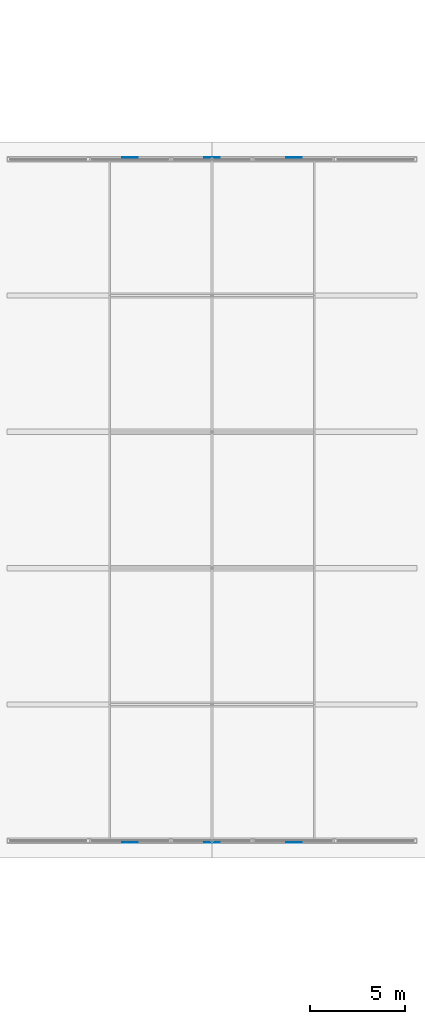
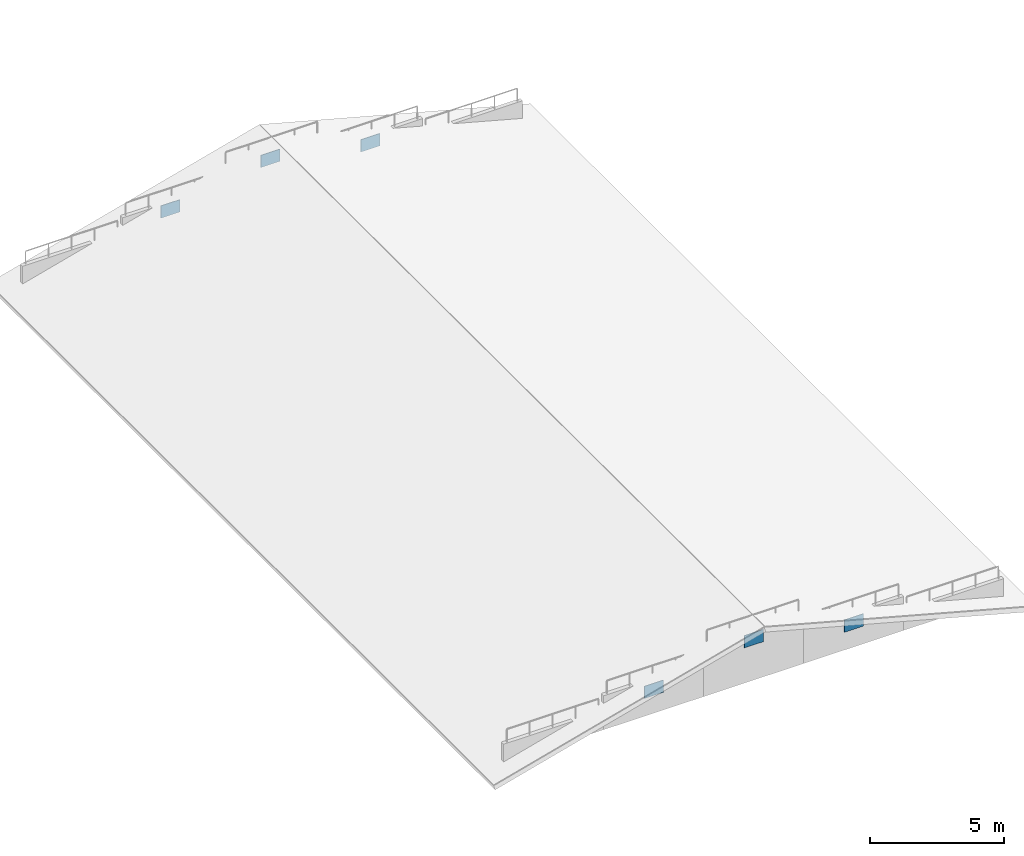
# One storey, part 25 of 40: 6 plates.
"""IFC4 building model written with IfcOpenShell, lengths in metres."""

from ifc_helpers import new_model, si_unit, direction, frame, origin, origin_2d, place, context, subcontext, project, spatial, rectangle, extrude, material, layer, layer_set, type_object, element, save


model = new_model("IFC4")

# Units and contexts
model_context = context("Model", 3, precision=1e-05, world=origin(), true_north=direction((0.0, 1.0)))
body_context = subcontext(model_context, "Body", "Model", "MODEL_VIEW")
ifc_project = project(units=[si_unit("LENGTHUNIT", "METRE"), si_unit("AREAUNIT", "SQUARE_METRE"), si_unit("VOLUMEUNIT", "CUBIC_METRE"), si_unit("PLANEANGLEUNIT", "RADIAN"), si_unit("MASSUNIT", "GRAM", prefix="KILO"), si_unit("THERMODYNAMICTEMPERATUREUNIT", "KELVIN"), si_unit("POWERUNIT", "WATT")], contexts=[model_context])

# Site, building, storey
site_placement = place(None, origin())
site = spatial("IfcSite", under=ifc_project, at=site_placement, CompositionType="ELEMENT")
building_placement = place(site_placement, origin())
building = spatial("IfcBuilding", under=site, at=building_placement, Name="Tavuni Mirador Residences", CompositionType="ELEMENT")
storey_placement = place(building_placement, frame((0.0, 0.0, 36.0)))
storey = spatial("IfcBuildingStorey", under=building, at=storey_placement, Name="L11", CompositionType="ELEMENT", Elevation=36.0)

# Plates
ifc_material = material(Name="Structural steel S355", Category="steel")
ifc_layer = layer(ifc_material, 0.028076171875, Name="Structural steel S355", Category="steel")
ifc_layer_set = layer_set([ifc_layer], Name="Structural steel S355")
plate_type = type_object("IfcPlateType", Name="PLT-GP09", PredefinedType="USERDEFINED", material=ifc_layer_set)
for number, where, z_axis, x_axis, name in (
    (1, (103.679931640625, 86.30859375, 0.820068359375), (0.0, 0.0, 1.0), (1.0, 0.0, 0.0), "TRENC-BLK-D-X0-1"),
    (2, (108.0, 86.30859375, 1.619873046875), (0.0, 0.0, 1.0), (1.0, 0.0, 0.0), "TRENC-BLK-D-X0-2"),
    (3, (112.320068359375, 86.30859375, 0.820068359375), (0.0, 0.0, 1.0), (1.0, 0.0, 0.0), "TRENC-BLK-D-X0-3"),
    (4, (103.679931640625, 122.491455078125, 0.820068359375), (0.0, 0.0, 1.0), (1.0, 0.0, 0.0), "TRENC-BLK-D-X1-1"),
    (5, (108.0, 122.491455078125, 1.619873046875), (0.0, 0.0, 1.0), (1.0, 0.0, 0.0), "TRENC-BLK-D-X1-2"),
    (6, (112.320068359375, 122.491455078125, 0.820068359375), (0.0, 0.0, 1.0), (1.0, 0.0, 0.0), "TRENC-BLK-D-X1-3"),
):
    element("IfcPlate", number, at=place(storey_placement, frame(where, z_axis=z_axis, x_axis=x_axis)), inside=storey, type_object=plate_type, Name=name, ObjectType="GUSSET PLATE", PredefinedType="USERDEFINED", context=body_context, shape_type="SweptSolid", body=[
        extrude(rectangle(XDim=0.820068359375, YDim=0.028076171875, at=origin_2d()), origin(), (0.0, 0.0, 1.0), 0.56005859375),
    ])

save(model, "model.ifc")
